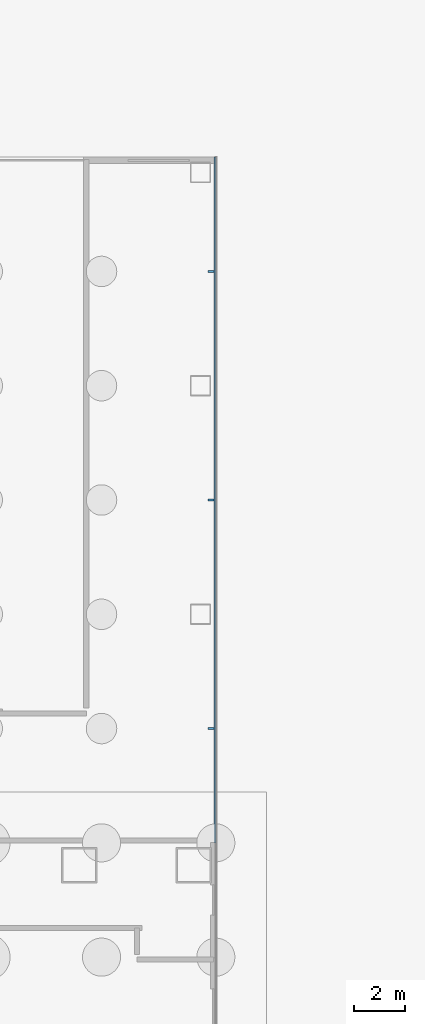
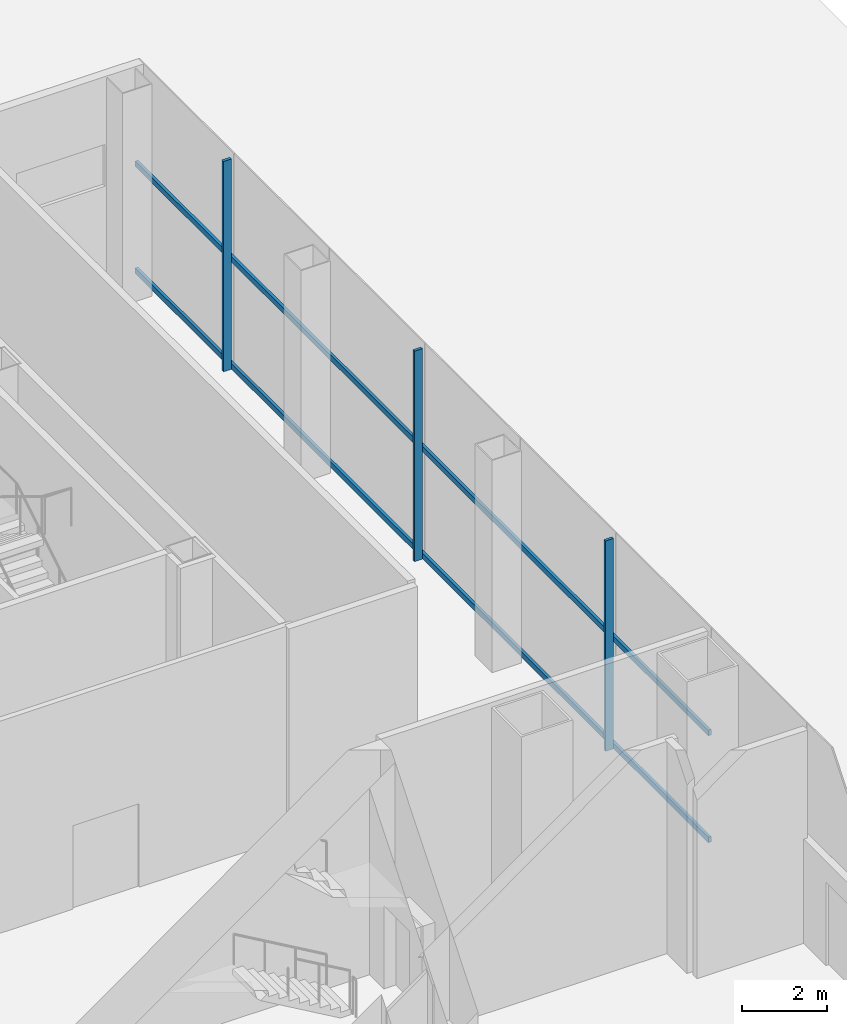
# One storey, part 14 of 37: 5 members, 1 element without a shape of its own.
"""IFC4 building model written with IfcOpenShell, lengths in metres."""

import ifcopenshell
import ifcopenshell.guid

model = None  # the IFC model being written
_history = None  # IfcOwnerHistory: only IFC2X3 demands one
_inside = {}  # id of a spatial element -> (the spatial element, [elements in it])
_under = {}  # id of a project, library or spatial element -> (it, [spatial elements below it])
_declared = {}  # id of a project -> (the project, [libraries it declares])
_typed = {}  # id of a type object -> (the type object, [elements of that type])
_made_of = {}  # id of a material, layer set ... -> (it, [elements and type objects made of it])


def new_model(schema):
    """Start an empty IFC model of exactly this schema.

    Asked for "IFC4X3", IfcOpenShell would pick the latest addendum, in which some entities
    have other attributes; the version numbers below select the first issue.
    IFC2X3 requires an IfcOwnerHistory on every rooted entity: one is made here for all.
    """
    global model, _history
    if schema == "IFC4X3":
        model = ifcopenshell.file(schema_version=(4, 3, 0, 0))
    else:
        model = ifcopenshell.file(schema=schema)
    _inside.clear()
    _under.clear()
    _declared.clear()
    _typed.clear()
    _made_of.clear()
    _history = None
    if model.schema == "IFC2X3":
        org = make("IfcOrganization", Name="unknown")
        user = make(
            "IfcPersonAndOrganization",
            ThePerson=make("IfcPerson", FamilyName="unknown"),
            TheOrganization=org,
        )
        app = make(
            "IfcApplication",
            ApplicationDeveloper=org,
            Version="unknown",
            ApplicationFullName="unknown",
            ApplicationIdentifier="unknown",
        )
        _history = make(
            "IfcOwnerHistory",
            OwningUser=user,
            OwningApplication=app,
            ChangeAction="ADDED",
            CreationDate=0,
        )
    return model


def make(cls, **values):
    """One entity of the class cls with the attributes given. An attribute that is None is left unset."""
    return model.create_entity(
        cls, **{name: value for name, value in values.items() if value is not None}
    )


def rooted(cls, **values):
    """An entity with a GlobalId (a new one), such as an element, a storey or a relation."""
    return make(cls, GlobalId=ifcopenshell.guid.new(), OwnerHistory=_history, **values)


def si_unit(unit_type, name, prefix=None):
    """IfcSIUnit, for example si_unit("LENGTHUNIT", "METRE", prefix="MILLI")."""
    return make("IfcSIUnit", UnitType=unit_type, Prefix=prefix, Name=name)


def assignment(units):
    """IfcUnitAssignment: the units of a project."""
    return None if units is None else make("IfcUnitAssignment", Units=units)


def point(xyz):
    """IfcCartesianPoint."""
    return None if xyz is None else make("IfcCartesianPoint", Coordinates=xyz)


def direction(xyz):
    """IfcDirection."""
    return None if xyz is None else make("IfcDirection", DirectionRatios=xyz)


def frame(location, z_axis=None, x_axis=None):
    """IfcAxis2Placement3D, a coordinate frame: its origin and axes. An axis left out is left unset."""
    return make(
        "IfcAxis2Placement3D",
        Location=point(location),
        Axis=direction(z_axis),
        RefDirection=direction(x_axis),
    )


def frame_2d(location, x_axis=None):
    """IfcAxis2Placement2D, a coordinate frame in the plane: its origin and x axis."""
    return make(
        "IfcAxis2Placement2D", Location=point(location), RefDirection=direction(x_axis)
    )


def origin():
    """The frame at (0, 0, 0) with its axes left unset."""
    return frame((0.0, 0.0, 0.0))


def origin_2d():
    """The frame at (0, 0) in the plane with its x axis left unset."""
    return frame_2d((0.0, 0.0))


def place(relative_to, where):
    """IfcLocalPlacement: puts the frame where relative to a parent placement (None: the world)."""
    return make(
        "IfcLocalPlacement", PlacementRelTo=relative_to, RelativePlacement=where
    )


def context(
    kind, dimensions, precision=None, world=None, true_north=None, identifier=None
):
    """IfcGeometricRepresentationContext, for example the 3D "Model" context."""
    return make(
        "IfcGeometricRepresentationContext",
        ContextIdentifier=identifier,
        ContextType=kind,
        CoordinateSpaceDimension=dimensions,
        Precision=precision,
        WorldCoordinateSystem=world,
        TrueNorth=true_north,
    )


def subcontext(parent, identifier, kind, view, scale=None):
    """IfcGeometricRepresentationSubContext, for example "Body" below "Model"."""
    return make(
        "IfcGeometricRepresentationSubContext",
        ContextIdentifier=identifier,
        ContextType=kind,
        ParentContext=parent,
        TargetScale=scale,
        TargetView=view,
    )


def project(units=None, contexts=None):
    """IfcProject with its units and contexts."""
    return rooted(
        "IfcProject",
        Name="project",
        RepresentationContexts=contexts,
        UnitsInContext=assignment(units),
    )


def spatial(cls, under=None, at=None, **own):
    """A site, building, storey or space (cls), placed at a placement, below another one or the project."""
    s = rooted(cls, ObjectPlacement=at, **own)
    if under is not None:
        _under.setdefault(under.id(), (under, []))[1].append(s)
    return s


def profile(cls, at=None, kind="AREA", **sizes):
    """A parametric profile (cls). Its sizes go by their IFC names, for example OverallWidth=200.0."""
    return make(cls, ProfileType=kind, Position=at, **sizes)


def rectangle(**sizes):
    """IfcRectangleProfileDef."""
    return profile("IfcRectangleProfileDef", **sizes)


def extrude(swept, where, along, depth):
    """IfcExtrudedAreaSolid: the profile swept, set in the frame where, extruded along a direction by depth."""
    return make(
        "IfcExtrudedAreaSolid",
        SweptArea=swept,
        Position=where,
        ExtrudedDirection=direction(along),
        Depth=depth,
    )


def shape(context_of_items, identifier, shape_type, items):
    """IfcShapeRepresentation: the items that make up one representation, for example the "Body"."""
    return make(
        "IfcShapeRepresentation",
        ContextOfItems=context_of_items,
        RepresentationIdentifier=identifier,
        RepresentationType=shape_type,
        Items=items,
    )


def material(Name=None, Category=None):
    """IfcMaterial."""
    return make("IfcMaterial", Name=Name, Category=Category)


def layer(
    of_material, thickness, ventilated=None, Name=None, Category=None, Priority=None
):
    """IfcMaterialLayer: one layer of a wall or slab, of a material (None: an air gap)."""
    return make(
        "IfcMaterialLayer",
        Material=of_material,
        LayerThickness=thickness,
        IsVentilated=ventilated,
        Name=Name,
        Category=Category,
        Priority=Priority,
    )


def layer_set(layers, Name=None):
    """IfcMaterialLayerSet."""
    return make("IfcMaterialLayerSet", MaterialLayers=layers, LayerSetName=Name)


def material_profile(
    of_material, cross_section, Name=None, Category=None, Priority=None
):
    """IfcMaterialProfile: a cross section and its material."""
    return make(
        "IfcMaterialProfile",
        Name=Name,
        Material=of_material,
        Profile=cross_section,
        Priority=Priority,
        Category=Category,
    )


def profile_set(profiles, Name=None, composite=None):
    """IfcMaterialProfileSet."""
    return make(
        "IfcMaterialProfileSet",
        Name=Name,
        MaterialProfiles=profiles,
        CompositeProfile=composite,
    )


def made_of(thing, what):
    """Note that an element or type object is made of a material, layer set ...; save() writes the relation."""
    if what is not None:
        _made_of.setdefault(what.id(), (what, []))[1].append(thing)
    return thing


def type_object(cls, material=None, **own):
    """A type object (cls), such as IfcWallType, which elements share."""
    return made_of(rooted(cls, **own), material)


def element(
    cls,
    number,
    at=None,
    inside=None,
    cuts=None,
    type_object=None,
    material=None,
    context=None,
    identifier="Body",
    shape_type=None,
    held_by="IfcProductDefinitionShape",
    body=None,
    shapes=None,
    **own,
):
    """One element of the class cls, such as IfcWall. Its Tag is "e" and its number.

    at: its placement. inside: the storey or other place that contains it. cuts: it is an
    opening in that element (IfcRelVoidsElement). A single representation is given by context,
    identifier, shape_type and body (its items); several are given by shapes. held_by: the class
    of the entity that holds the representations. save() writes the other relations.
    """
    e = rooted(cls, Tag="e%d" % number, ObjectPlacement=at, **own)
    if body is not None:
        shapes = [shape(context, identifier, shape_type, body)]
    if shapes is not None:
        e.Representation = make(held_by, Representations=shapes)
    if inside is not None:
        _inside.setdefault(inside.id(), (inside, []))[1].append(e)
    if cuts is not None:
        rooted(
            "IfcRelVoidsElement", RelatingBuildingElement=cuts, RelatedOpeningElement=e
        )
    if type_object is not None:
        _typed.setdefault(type_object.id(), (type_object, []))[1].append(e)
    return made_of(e, material)


def aggregate(whole, parts):
    """IfcRelAggregates: a whole, such as a stair, and the parts it consists of."""
    return rooted("IfcRelAggregates", RelatingObject=whole, RelatedObjects=parts)


def save(model, path):
    """Write the relations noted so far, then the file.

    IfcRelAggregates (storeys below a building ...), IfcRelContainedInSpatialStructure (elements
    in a storey), IfcRelDefinesByType, IfcRelAssociatesMaterial and IfcRelDeclares: one each for
    every whole, place, type object, material and project.
    """
    for whole, parts in _under.values():
        aggregate(whole, parts)
    for where, things in _inside.values():
        rooted(
            "IfcRelContainedInSpatialStructure",
            RelatedElements=things,
            RelatingStructure=where,
        )
    for kind, things in _typed.values():
        rooted("IfcRelDefinesByType", RelatedObjects=things, RelatingType=kind)
    for what, things in _made_of.values():
        rooted("IfcRelAssociatesMaterial", RelatedObjects=things, RelatingMaterial=what)
    for by, libraries in _declared.values():
        rooted("IfcRelDeclares", RelatingContext=by, RelatedDefinitions=libraries)
    model.write(path)


model = new_model("IFC4")

# Units and contexts
model_context = context("Model", 3, precision=1e-05, world=origin(), true_north=direction((0.0, 1.0)))
body_context = subcontext(model_context, "Body", "Model", "MODEL_VIEW")
ifc_project = project(units=[si_unit("LENGTHUNIT", "METRE"), si_unit("AREAUNIT", "SQUARE_METRE"), si_unit("VOLUMEUNIT", "CUBIC_METRE"), si_unit("PLANEANGLEUNIT", "RADIAN"), si_unit("MASSUNIT", "GRAM", prefix="KILO")], contexts=[model_context])

# Site, building, storey
site_placement = place(None, origin())
site = spatial("IfcSite", under=ifc_project, at=site_placement, CompositionType="ELEMENT")
building_placement = place(site_placement, origin())
building = spatial("IfcBuilding", under=site, at=building_placement, Name="Shamsa Quay Exchange Towers", CompositionType="ELEMENT")
storey_placement = place(building_placement, origin())
storey = spatial("IfcBuildingStorey", under=building, at=storey_placement, Name="L00", CompositionType="ELEMENT", Elevation=0.0)

# Curtain wall, members
ifc_material = material(Name="Aluminium EN AW-6063 T6, black anodised", Category="aluminium")
ifc_layer = layer(ifc_material, 0.33203125)
ifc_layer_set = layer_set([ifc_layer], Name="CW-3 PODIUM SHOPFRONT GLAZING")
curtain_wall_type = type_object("IfcCurtainWallType", Name="CW-3 PODIUM SHOPFRONT GLAZING", PredefinedType="NOTDEFINED", material=ifc_layer_set)
curtain_wall_placement = place(storey_placement, origin())
curtain_wall = element("IfcCurtainWall", 1, at=curtain_wall_placement, inside=storey, type_object=curtain_wall_type, Name="CW3 PODIUM-L00-F00", PredefinedType="NOTDEFINED")
ifc_material_profile_1 = material_profile(ifc_material, rectangle(XDim=0.219970703125, YDim=0.080078125, at=origin_2d()), Name="MU80x220")
ifc_profile_set_1 = profile_set([ifc_material_profile_1], Name="Aluminium EN AW-6063 T6, black anodised")
member_type_1 = type_object("IfcMemberType", Name="CW3 MULLION 80x220", PredefinedType="MULLION", material=ifc_profile_set_1)
member_1_placement = place(storey_placement, frame((62.81005859375, 11.25, 0.0), z_axis=(0.0, 0.0, 1.0), x_axis=(-1.0, 0.0, 0.0)))
member_1 = element("IfcMember", 2, at=member_1_placement, type_object=member_type_1, Name="CW3 mullion", PredefinedType="MULLION", context=body_context, shape_type="SweptSolid", body=[
    extrude(rectangle(XDim=0.219970703125, YDim=0.080078125, at=origin_2d()), origin(), (0.0, 0.0, 1.0), 6.050048828125),
])
member_2_placement = place(storey_placement, frame((62.81005859375, 20.25, 0.0), z_axis=(0.0, 0.0, 1.0), x_axis=(-1.0, 0.0, 0.0)))
member_2 = element("IfcMember", 3, at=member_2_placement, type_object=member_type_1, Name="CW3 mullion", PredefinedType="MULLION", context=body_context, shape_type="SweptSolid", body=[
    extrude(rectangle(XDim=0.219970703125, YDim=0.080078125, at=origin_2d()), origin(), (0.0, 0.0, 1.0), 6.050048828125),
])
member_3_placement = place(storey_placement, frame((62.81005859375, 29.25, 0.0), z_axis=(0.0, 0.0, 1.0), x_axis=(-1.0, 0.0, 0.0)))
member_3 = element("IfcMember", 4, at=member_3_placement, type_object=member_type_1, Name="CW3 mullion", PredefinedType="MULLION", context=body_context, shape_type="SweptSolid", body=[
    extrude(rectangle(XDim=0.219970703125, YDim=0.080078125, at=origin_2d()), origin(), (0.0, 0.0, 1.0), 6.050048828125),
])
ifc_material_profile_2 = material_profile(ifc_material, rectangle(XDim=0.080078125, YDim=0.159912109375, at=origin_2d()), Name="TR160x80")
ifc_profile_set_2 = profile_set([ifc_material_profile_2], Name="Aluminium EN AW-6063 T6, black anodised")
member_type_2 = type_object("IfcMemberType", Name="CW3 TRANSOM 160x80", PredefinedType="USERDEFINED", material=ifc_profile_set_2)
member_4_placement = place(storey_placement, frame((62.9599609375, 6.75, 0.080078125), z_axis=(0.0, 1.0, 0.0), x_axis=(-1.0, 0.0, 0.0)))
member_4 = element("IfcMember", 5, at=member_4_placement, type_object=member_type_2, Name="CW3 transom", ObjectType="TRANSOM", PredefinedType="USERDEFINED", context=body_context, shape_type="SweptSolid", body=[
    extrude(rectangle(XDim=0.080078125, YDim=0.159912109375, at=origin_2d()), origin(), (0.0, 0.0, 1.0), 27.0),
])
member_5_placement = place(storey_placement, frame((62.9599609375, 6.75, 3.155029296875), z_axis=(0.0, 1.0, 0.0), x_axis=(-1.0, 0.0, 0.0)))
member_5 = element("IfcMember", 6, at=member_5_placement, type_object=member_type_2, Name="CW3 transom", ObjectType="TRANSOM", PredefinedType="USERDEFINED", context=body_context, shape_type="SweptSolid", body=[
    extrude(rectangle(XDim=0.080078125, YDim=0.159912109375, at=origin_2d()), origin(), (0.0, 0.0, 1.0), 27.0),
])
aggregate(curtain_wall, [member_4, member_5, member_1, member_2, member_3])

save(model, "model.ifc")
